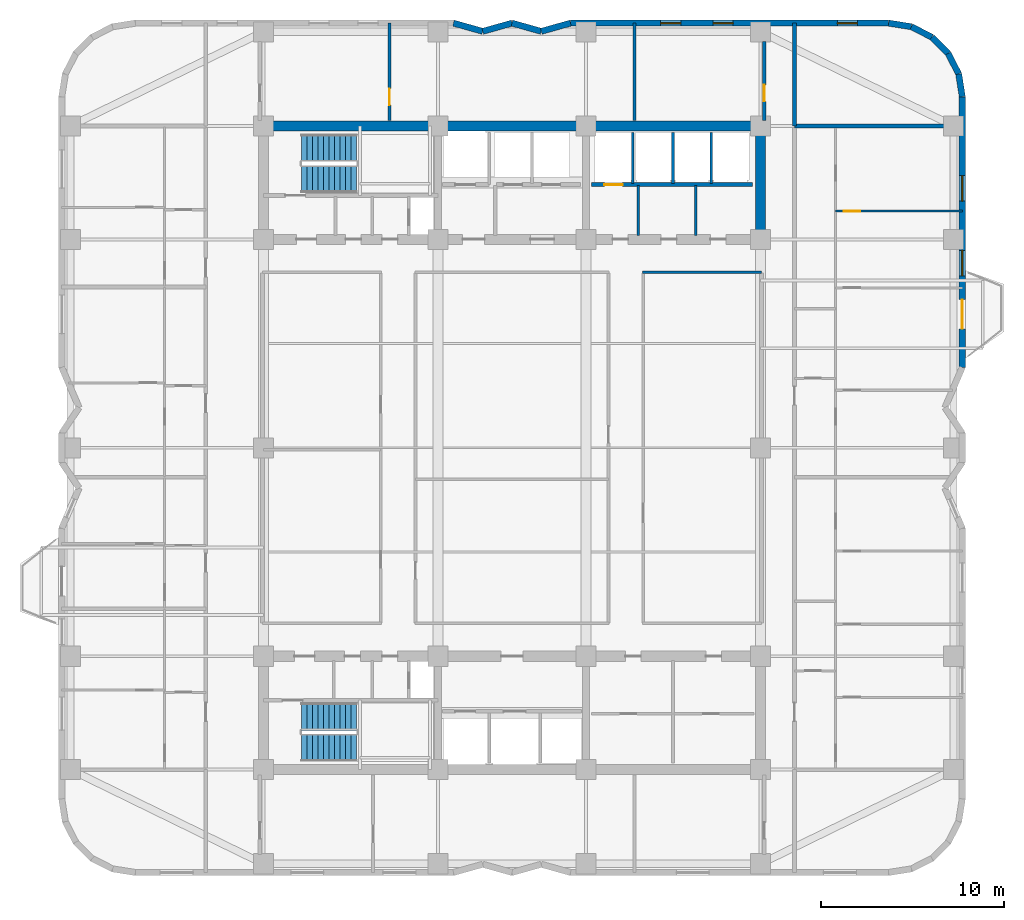
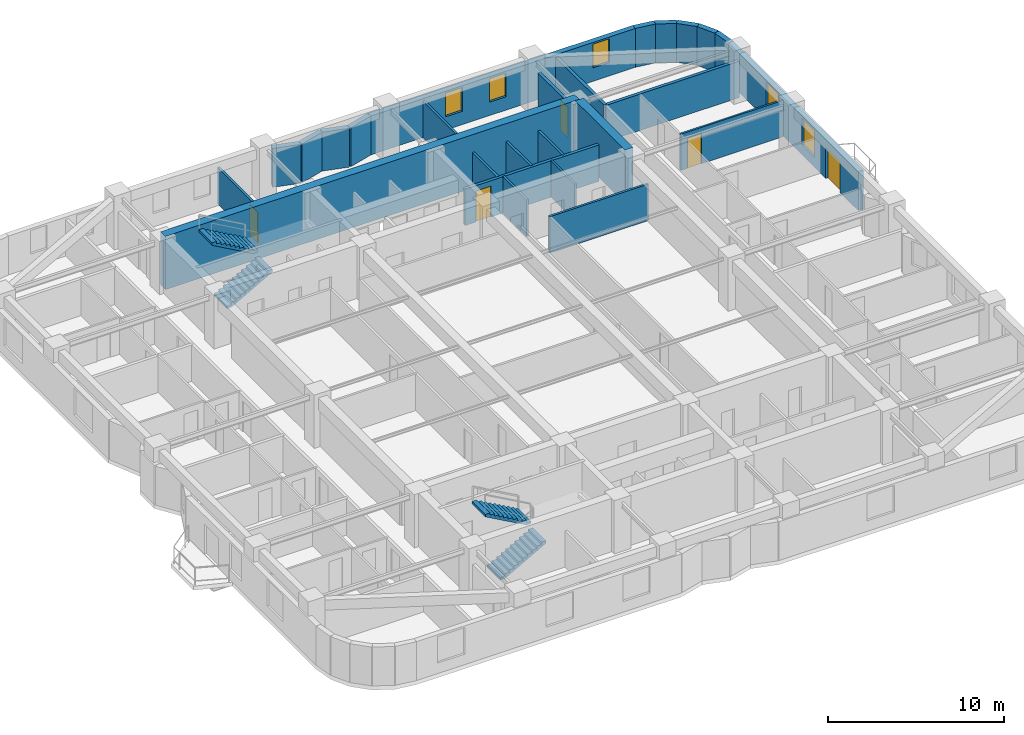
# One storey, part 7 of 9: 26 walls, 5 doors, 5 windows, 4 stair flights, 10 openings, 2 elements without a shape of their own.
"""IFC4 building model written with IfcOpenShell, lengths in metres."""

from ifc_helpers import new_model, si_unit, direction, frame, frame_2d, origin, place, context, subcontext, project, spatial, polyline, rectangle, outline, extrude, material, layer, layer_set, type_object, element, fill, aggregate, save


model = new_model("IFC4")

# Units and contexts
model_context = context("Model", 3, precision=1e-05, world=origin(), true_north=direction((0.0, 1.0)))
body_context = subcontext(model_context, "Body", "Model", "MODEL_VIEW")
ifc_project = project(units=[si_unit("LENGTHUNIT", "METRE"), si_unit("AREAUNIT", "SQUARE_METRE"), si_unit("VOLUMEUNIT", "CUBIC_METRE"), si_unit("PLANEANGLEUNIT", "RADIAN"), si_unit("MASSUNIT", "GRAM", prefix="KILO")], contexts=[model_context])

# Site, building, storey
site_placement = place(None, origin())
site = spatial("IfcSite", under=ifc_project, at=site_placement, CompositionType="ELEMENT")
building_placement = place(site_placement, origin())
building = spatial("IfcBuilding", under=site, at=building_placement, Name="Svetorya Sky Lyceum", CompositionType="ELEMENT")
storey_placement = place(building_placement, frame((0.0, 0.0, 103.10009765625)))
storey = spatial("IfcBuildingStorey", under=building, at=storey_placement, Name="L25", CompositionType="ELEMENT", Elevation=103.10009765625)

# Walls
ifc_material_1 = material(Name="Concrete C60/75", Category="concrete")
ifc_layer_1 = layer(ifc_material_1, 0.550048828125)
ifc_layer_set_1 = layer_set([ifc_layer_1], Name="Concrete C60/75")
wall_type_1 = type_object("IfcWallType", Name="WL-CORE-550", PredefinedType="SHEAR", material=ifc_layer_set_1)
wall_1_placement = place(storey_placement, frame((25.60009765625, 45.800048828125, 0.0), z_axis=(0.0, 0.0, 1.0), x_axis=(1.0, 0.0, 0.0)))
element("IfcWall", 1, at=wall_1_placement, inside=storey, type_object=wall_type_1, Name="L25 NC Outer Core Shear Wall", PredefinedType="SHEAR", context=body_context, shape_type="SweptSolid", body=[
    extrude(rectangle(XDim=27.199951171875, YDim=0.550048828125, at=frame_2d((13.60009765625, 0.0))), origin(), (0.0, 0.0, 1.0), 3.699951171875),
])
wall_2_placement = place(storey_placement, frame((52.800048828125, 39.875, 0.0), z_axis=(0.0, 0.0, 1.0), x_axis=(0.0, 1.0, 0.0)))
element("IfcWall", 2, at=wall_2_placement, inside=storey, type_object=wall_type_1, Name="L25 NC East Core Shear Wall", PredefinedType="SHEAR", context=body_context, shape_type="SweptSolid", body=[
    extrude(rectangle(XDim=5.64990234375, YDim=0.550048828125, at=frame_2d((2.824951171875, 0.0))), origin(), (0.0, 0.0, 1.0), 3.699951171875),
])

# Wall, openings, door, windows
ifc_material_2 = material(Name="Putilovo limestone rainscreen on autoclaved cellular masonry", Category="masonry")
ifc_layer_2 = layer(ifc_material_2, 0.340087890625)
ifc_layer_set_2 = layer_set([ifc_layer_2], Name="Putilovo limestone rainscreen on autoclaved cellular masonry")
wall_type_2 = type_object("IfcWallType", Name="WL-EXT-340", PredefinedType="SOLIDWALL", material=ifc_layer_set_2)
wall_3_placement = place(storey_placement, frame((63.830078125, 32.60009765625, 0.0), z_axis=(0.0, 0.0, 1.0), x_axis=(0.0, 1.0, 0.0)))
wall_3 = element("IfcWall", 3, at=wall_3_placement, inside=storey, type_object=wall_type_2, Name="L25 Limestone Exterior Wall 23M", PredefinedType="SOLIDWALL", context=body_context, shape_type="SweptSolid", body=[
    extrude(rectangle(XDim=14.7998046875, YDim=0.340087890625, at=frame_2d((7.39990234375, 0.0))), origin(), (0.0, 0.0, 1.0), 2.699951171875),
])
opening_1_placement = place(wall_3_placement, frame((2.10009765625, 0.0, 0.0)))
opening_1 = element("IfcOpeningElement", 4, at=opening_1_placement, cuts=wall_3, Name="Opening D-BL1", PredefinedType="OPENING", context=body_context, shape_type="SweptSolid", body=[
    extrude(rectangle(XDim=1.60009765625, YDim=2.10009765625, at=frame_2d((0.800048828125, 1.050048828125))), frame((0.0, 0.179931640625, 0.0), z_axis=(0.0, -1.0, 0.0), x_axis=(1.0, 0.0, 0.0)), (0.0, 0.0, 1.0), 0.360107421875),
])
opening_2_placement = place(wall_3_placement, frame((5.0, 0.0, 0.68994140625)))
opening_2 = element("IfcOpeningElement", 5, at=opening_2_placement, cuts=wall_3, Name="Opening W-R2", PredefinedType="OPENING", context=body_context, shape_type="SweptSolid", body=[
    extrude(rectangle(XDim=1.39990234375, YDim=1.85009765625, at=frame_2d((0.699951171875, 0.925048828125))), frame((0.0, 0.179931640625, 0.0), z_axis=(0.0, -1.0, 0.0), x_axis=(1.0, 0.0, 0.0)), (0.0, 0.0, 1.0), 0.360107421875),
])
opening_3_placement = place(wall_3_placement, frame((9.08740234375, 0.0, 0.72998046875)))
opening_3 = element("IfcOpeningElement", 6, at=opening_3_placement, cuts=wall_3, Name="Opening W-R2", PredefinedType="OPENING", context=body_context, shape_type="SweptSolid", body=[
    extrude(rectangle(XDim=1.39990234375, YDim=1.85009765625, at=frame_2d((0.699951171875, 0.925048828125))), frame((0.0, 0.179931640625, 0.0), z_axis=(0.0, -1.0, 0.0), x_axis=(1.0, 0.0, 0.0)), (0.0, 0.0, 1.0), 0.360107421875),
])
ifc_material_3 = material(Name="Insulated glazed aluminium balcony door", Category="aluminium")
door_type_1 = type_object("IfcDoorType", Name="DR-BAL-1600", OperationType="DOUBLE_DOOR_SINGLE_SWING", PredefinedType="DOOR", material=ifc_material_3)
door_1_placement = place(opening_1_placement, origin())
door_1 = element("IfcDoor", 7, at=door_1_placement, inside=storey, type_object=door_type_1, Name="L25 Balcony BAL-E1 Door", OperationType="DOUBLE_DOOR_SINGLE_SWING", OverallHeight=2.10009765625, OverallWidth=1.60009765625, PredefinedType="DOOR", context=body_context, shape_type="SweptSolid", body=[
    extrude(rectangle(XDim=1.60009765625, YDim=2.10009765625, at=frame_2d((0.800048828125, 1.050048828125))), frame((0.0, 0.02490234375, 0.0), z_axis=(0.0, -1.0, 0.0), x_axis=(1.0, 0.0, 0.0)), (0.0, 0.0, 1.0), 0.050048828125),
])
fill(opening_1, door_1)
ifc_material_4 = material(Name="Thermally broken aluminium frame with triple low-E glazing", Category="aluminium")
window_type_1 = type_object("IfcWindowType", Name="WN-RES-140", PartitioningType="SINGLE_PANEL", PredefinedType="WINDOW", material=ifc_material_4)
window_1_placement = place(opening_2_placement, origin())
window_1 = element("IfcWindow", 8, at=window_1_placement, inside=storey, type_object=window_type_1, Name="L25 Facade Window W-R2.23M.2", OverallHeight=1.85009765625, OverallWidth=1.39990234375, PartitioningType="SINGLE_PANEL", PredefinedType="WINDOW", context=body_context, shape_type="SweptSolid", body=[
    extrude(rectangle(XDim=1.39990234375, YDim=1.85009765625, at=frame_2d((0.699951171875, 0.925048828125))), frame((0.0, 0.030029296875, 0.0), z_axis=(0.0, -1.0, 0.0), x_axis=(1.0, 0.0, 0.0)), (0.0, 0.0, 1.0), 0.06005859375),
])
fill(opening_2, window_1)
window_2_placement = place(opening_3_placement, origin())
window_2 = element("IfcWindow", 9, at=window_2_placement, inside=storey, type_object=window_type_1, Name="L25 Facade Window W-R2.23M.1", OverallHeight=1.85009765625, OverallWidth=1.39990234375, PartitioningType="SINGLE_PANEL", PredefinedType="WINDOW", context=body_context, shape_type="SweptSolid", body=[
    extrude(rectangle(XDim=1.39990234375, YDim=1.85009765625, at=frame_2d((0.699951171875, 0.925048828125))), frame((0.0, 0.030029296875, 0.0), z_axis=(0.0, -1.0, 0.0), x_axis=(1.0, 0.0, 0.0)), (0.0, 0.0, 1.0), 0.06005859375),
])
fill(opening_3, window_2)

# Walls
for number, where, z_axis, x_axis, name in (
    (10, (63.830078125, 47.39990234375, 0.0), (0.0, 0.0, 1.0), (-0.15644975923, 0.987685918112, 0.0), "L25 Limestone Exterior Wall 24M"),
    (11, (63.6328125, 48.645263671875, 0.0), (0.0, 0.0, 1.0), (-0.454015689056, 0.890993689142, 0.0), "L25 Limestone Exterior Wall 25M"),
    (12, (63.060302734375, 49.768798828125, 0.0), (0.0, 0.0, 1.0), (-0.707106781187, 0.707106781187, 0.0), "L25 Limestone Exterior Wall 26M"),
):
    element("IfcWall", number, at=place(storey_placement, frame(where, z_axis=z_axis, x_axis=x_axis)), inside=storey, type_object=wall_type_2, Name=name, PredefinedType="SOLIDWALL", context=body_context, shape_type="SweptSolid", body=[
        extrude(rectangle(XDim=1.260986328125, YDim=0.340087890625, at=frame_2d((0.63037109375, 0.0))), origin(), (0.0, 0.0, 1.0), 2.699951171875),
    ])
for number, where, z_axis, x_axis, name in (
    (13, (62.168701171875, 50.660400390625, 0.0), (0.0, 0.0, 1.0), (-0.890953769915, 0.454094020963, 0.0), "L25 Limestone Exterior Wall 27M"),
    (14, (61.04541015625, 51.23291015625, 0.0), (0.0, 0.0, 1.0), (-0.98771582066, 0.156260864002, 0.0), "L25 Limestone Exterior Wall 28M"),
):
    element("IfcWall", number, at=place(storey_placement, frame(where, z_axis=z_axis, x_axis=x_axis)), inside=storey, type_object=wall_type_2, Name=name, PredefinedType="SOLIDWALL", context=body_context, shape_type="SweptSolid", body=[
        extrude(rectangle(XDim=1.2607421875, YDim=0.340087890625, at=frame_2d((0.63037109375, 0.0))), origin(), (0.0, 0.0, 1.0), 2.699951171875),
    ])

# Wall, openings, windows
wall_4_placement = place(storey_placement, frame((59.800048828125, 51.429931640625, 0.0), z_axis=(0.0, 0.0, 1.0), x_axis=(-1.0, 0.0, 0.0)))
wall_4 = element("IfcWall", 15, at=wall_4_placement, inside=storey, type_object=wall_type_2, Name="L25 Limestone Exterior Wall 29M", PredefinedType="SOLIDWALL", context=body_context, shape_type="SweptSolid", body=[
    extrude(rectangle(XDim=17.400146484375, YDim=0.340087890625, at=frame_2d((8.7001953125, 0.0))), origin(), (0.0, 0.0, 1.0), 2.699951171875),
])
opening_4_placement = place(wall_4_placement, frame((1.7099609375, 0.0, 0.929931640625)))
opening_4 = element("IfcOpeningElement", 16, at=opening_4_placement, cuts=wall_4, Name="Opening W-R3", PredefinedType="OPENING", context=body_context, shape_type="SweptSolid", body=[
    extrude(rectangle(XDim=1.10009765625, YDim=1.64990234375, at=frame_2d((0.550048828125, 0.824951171875))), frame((0.0, 0.179931640625, 0.0), z_axis=(0.0, -1.0, 0.0), x_axis=(1.0, 0.0, 0.0)), (0.0, 0.0, 1.0), 0.360107421875),
])
opening_5_placement = place(wall_4_placement, frame((8.5, 0.0, 0.929931640625)))
opening_5 = element("IfcOpeningElement", 17, at=opening_5_placement, cuts=wall_4, Name="Opening W-R3", PredefinedType="OPENING", context=body_context, shape_type="SweptSolid", body=[
    extrude(rectangle(XDim=1.10009765625, YDim=1.64990234375, at=frame_2d((0.550048828125, 0.824951171875))), frame((0.0, 0.179931640625, 0.0), z_axis=(0.0, -1.0, 0.0), x_axis=(1.0, 0.0, 0.0)), (0.0, 0.0, 1.0), 0.360107421875),
])
opening_6_placement = place(wall_4_placement, frame((11.3701171875, 0.0, 0.929931640625)))
opening_6 = element("IfcOpeningElement", 18, at=opening_6_placement, cuts=wall_4, Name="Opening W-R3", PredefinedType="OPENING", context=body_context, shape_type="SweptSolid", body=[
    extrude(rectangle(XDim=1.10009765625, YDim=1.64990234375, at=frame_2d((0.550048828125, 0.824951171875))), frame((0.0, 0.179931640625, 0.0), z_axis=(0.0, -1.0, 0.0), x_axis=(1.0, 0.0, 0.0)), (0.0, 0.0, 1.0), 0.360107421875),
])
window_type_2 = type_object("IfcWindowType", Name="WN-RES-110", PartitioningType="SINGLE_PANEL", PredefinedType="WINDOW", material=ifc_material_4)
window_3_placement = place(opening_4_placement, origin())
window_3 = element("IfcWindow", 19, at=window_3_placement, inside=storey, type_object=window_type_2, Name="L25 Facade Window W-R3.29M.1", OverallHeight=1.64990234375, OverallWidth=1.10009765625, PartitioningType="SINGLE_PANEL", PredefinedType="WINDOW", context=body_context, shape_type="SweptSolid", body=[
    extrude(rectangle(XDim=1.10009765625, YDim=1.64990234375, at=frame_2d((0.550048828125, 0.824951171875))), frame((0.0, 0.030029296875, 0.0), z_axis=(0.0, -1.0, 0.0), x_axis=(1.0, 0.0, 0.0)), (0.0, 0.0, 1.0), 0.06005859375),
])
fill(opening_4, window_3)
window_4_placement = place(opening_5_placement, origin())
window_4 = element("IfcWindow", 20, at=window_4_placement, inside=storey, type_object=window_type_2, Name="L25 Facade Window W-R3.29M.2", OverallHeight=1.64990234375, OverallWidth=1.10009765625, PartitioningType="SINGLE_PANEL", PredefinedType="WINDOW", context=body_context, shape_type="SweptSolid", body=[
    extrude(rectangle(XDim=1.10009765625, YDim=1.64990234375, at=frame_2d((0.550048828125, 0.824951171875))), frame((0.0, 0.030029296875, 0.0), z_axis=(0.0, -1.0, 0.0), x_axis=(1.0, 0.0, 0.0)), (0.0, 0.0, 1.0), 0.06005859375),
])
fill(opening_5, window_4)
window_5_placement = place(opening_6_placement, origin())
window_5 = element("IfcWindow", 21, at=window_5_placement, inside=storey, type_object=window_type_2, Name="L25 Facade Window W-R3.29M.3", OverallHeight=1.64990234375, OverallWidth=1.10009765625, PartitioningType="SINGLE_PANEL", PredefinedType="WINDOW", context=body_context, shape_type="SweptSolid", body=[
    extrude(rectangle(XDim=1.10009765625, YDim=1.64990234375, at=frame_2d((0.550048828125, 0.824951171875))), frame((0.0, 0.030029296875, 0.0), z_axis=(0.0, -1.0, 0.0), x_axis=(1.0, 0.0, 0.0)), (0.0, 0.0, 1.0), 0.06005859375),
])
fill(opening_6, window_5)

# Walls
wall_5_placement = place(storey_placement, frame((42.39990234375, 51.429931640625, 0.0), z_axis=(0.0, 0.0, 1.0), x_axis=(-0.962652136636, -0.270741322725, 0.0)))
element("IfcWall", 22, at=wall_5_placement, inside=storey, type_object=wall_type_2, Name="L25 Limestone Exterior Wall 30M", PredefinedType="SOLIDWALL", context=body_context, shape_type="SweptSolid", body=[
    extrude(rectangle(XDim=1.661865234375, YDim=0.340087890625, at=frame_2d((0.8310546875, 0.0))), origin(), (0.0, 0.0, 1.0), 2.699951171875),
])
wall_6_placement = place(storey_placement, frame((40.800048828125, 50.97998046875, 0.0), z_axis=(0.0, 0.0, 1.0), x_axis=(-0.962662902433, 0.270703040766, 0.0)))
element("IfcWall", 23, at=wall_6_placement, inside=storey, type_object=wall_type_2, Name="L25 Limestone Exterior Wall 31M", PredefinedType="SOLIDWALL", context=body_context, shape_type="SweptSolid", body=[
    extrude(rectangle(XDim=1.662109375, YDim=0.340087890625, at=frame_2d((0.8310546875, 0.0))), origin(), (0.0, 0.0, 1.0), 2.699951171875),
])
wall_7_placement = place(storey_placement, frame((39.199951171875, 51.429931640625, 0.0), z_axis=(0.0, 0.0, 1.0), x_axis=(-0.962652136636, -0.270741322725, 0.0)))
element("IfcWall", 24, at=wall_7_placement, inside=storey, type_object=wall_type_2, Name="L25 Limestone Exterior Wall 32M", PredefinedType="SOLIDWALL", context=body_context, shape_type="SweptSolid", body=[
    extrude(rectangle(XDim=1.661865234375, YDim=0.340087890625, at=frame_2d((0.8310546875, 0.0))), origin(), (0.0, 0.0, 1.0), 2.699951171875),
])
wall_8_placement = place(storey_placement, frame((37.60009765625, 50.97998046875, 0.0), z_axis=(0.0, 0.0, 1.0), x_axis=(-0.962662902433, 0.270703040766, 0.0)))
element("IfcWall", 25, at=wall_8_placement, inside=storey, type_object=wall_type_2, Name="L25 Limestone Exterior Wall 33M", PredefinedType="SOLIDWALL", context=body_context, shape_type="SweptSolid", body=[
    extrude(rectangle(XDim=1.662109375, YDim=0.340087890625, at=frame_2d((0.8310546875, 0.0))), origin(), (0.0, 0.0, 1.0), 2.699951171875),
])

# Wall, opening, door
ifc_material_5 = material(Name="Twin-stud galvanized framing with double fireboard", Category="gypsum")
ifc_layer_3 = layer(ifc_material_5, 0.1201171875)
ifc_layer_set_3 = layer_set([ifc_layer_3], Name="Twin-stud galvanized framing with double fireboard")
wall_type_3 = type_object("IfcWallType", Name="WL-PART-120", PredefinedType="PARTITIONING", material=ifc_layer_set_3)
wall_9_placement = place(storey_placement, frame((56.89990234375, 41.14990234375, 0.0), z_axis=(0.0, 0.0, 1.0), x_axis=(1.0, 0.0, 0.0)))
wall_9 = element("IfcWall", 26, at=wall_9_placement, inside=storey, type_object=wall_type_3, Name="L25 Interior Partition E2-WL3", PredefinedType="PARTITIONING", context=body_context, shape_type="SweptSolid", body=[
    extrude(rectangle(XDim=6.93017578125, YDim=0.1201171875, at=frame_2d((3.465087890625, 0.0))), origin(), (0.0, 0.0, 1.0), 2.52978515625),
])
opening_7_placement = place(wall_9_placement, frame((0.449951171875, 0.0, 0.0)))
opening_7 = element("IfcOpeningElement", 27, at=opening_7_placement, cuts=wall_9, Name="Opening D-RM1", PredefinedType="OPENING", context=body_context, shape_type="SweptSolid", body=[
    extrude(rectangle(XDim=0.89990234375, YDim=2.10009765625, at=frame_2d((0.449951171875, 1.050048828125))), frame((0.0, 0.070068359375, 0.0), z_axis=(0.0, -1.0, 0.0), x_axis=(1.0, 0.0, 0.0)), (0.0, 0.0, 1.0), 0.14013671875),
])
ifc_material_6 = material(Name="Lacquered birch veneer internal door")
door_type_2 = type_object("IfcDoorType", Name="DR-INT-900", OperationType="SINGLE_SWING_LEFT", PredefinedType="DOOR", material=ifc_material_6)
door_2_placement = place(opening_7_placement, origin())
door_2 = element("IfcDoor", 28, at=door_2_placement, inside=storey, type_object=door_type_2, Name="Apartment E2 Bedroom 3 Door", OperationType="SINGLE_SWING_LEFT", OverallHeight=2.10009765625, OverallWidth=0.89990234375, PredefinedType="DOOR", context=body_context, shape_type="SweptSolid", body=[
    extrude(rectangle(XDim=0.89990234375, YDim=2.10009765625, at=frame_2d((0.449951171875, 1.050048828125))), frame((0.0, 0.02490234375, 0.0), z_axis=(0.0, -1.0, 0.0), x_axis=(1.0, 0.0, 0.0)), (0.0, 0.0, 1.0), 0.050048828125),
])
fill(opening_7, door_2)

# Walls
ifc_material_7 = material(Name="Twin-stud galvanized framing with acoustic board", Category="gypsum")
ifc_layer_4 = layer(ifc_material_7, 0.135009765625)
ifc_layer_set_4 = layer_set([ifc_layer_4], Name="Twin-stud galvanized framing with acoustic board")
wall_type_4 = type_object("IfcWallType", Name="WL-PART-135", PredefinedType="PARTITIONING", material=ifc_layer_set_4)
wall_10_placement = place(storey_placement, frame((49.25, 39.820068359375, 0.0), z_axis=(0.0, 0.0, 1.0), x_axis=(0.0, 1.0, 0.0)))
element("IfcWall", 29, at=wall_10_placement, inside=storey, type_object=wall_type_4, Name="L25 Interior Partition NC-Z2ED", PredefinedType="PARTITIONING", context=body_context, shape_type="SweptSolid", body=[
    extrude(rectangle(XDim=2.72998046875, YDim=0.135009765625, at=frame_2d((1.364990234375, 0.0))), origin(), (0.0, 0.0, 1.0), 2.52978515625),
])
ifc_material_8 = material(Name="Autoclaved cellular masonry blockwork with acoustic render", Category="masonry")
ifc_layer_5 = layer(ifc_material_8, 0.14990234375)
ifc_layer_set_5 = layer_set([ifc_layer_5], Name="Autoclaved cellular masonry blockwork with acoustic render")
wall_type_5 = type_object("IfcWallType", Name="WL-PART-150", PredefinedType="PARTITIONING", material=ifc_layer_set_5)
for number, where, z_axis, x_axis, name in (
    (30, (45.800048828125, 42.64990234375, 0.0), (0.0, 0.0, 1.0), (0.0, 1.0, 0.0), "L25 Interior Partition NC-PM3-D"),
    (31, (48.0, 42.64990234375, 0.0), (0.0, 0.0, 1.0), (0.0, 1.0, 0.0), "L25 Interior Partition NC-PH-D1"),
    (32, (50.10009765625, 42.64990234375, 0.0), (0.0, 0.0, 1.0), (0.0, 1.0, 0.0), "L25 Interior Partition NC-PH-D2"),
):
    element("IfcWall", number, at=place(storey_placement, frame(where, z_axis=z_axis, x_axis=x_axis)), inside=storey, type_object=wall_type_5, Name=name, PredefinedType="PARTITIONING", context=body_context, shape_type="SweptSolid", body=[
        extrude(rectangle(XDim=2.800048828125, YDim=0.14990234375, at=frame_2d((1.39990234375, 0.0))), origin(), (0.0, 0.0, 1.0), 2.52978515625),
    ])
wall_11_placement = place(storey_placement, frame((46.10009765625, 39.820068359375, 0.0), z_axis=(0.0, 0.0, 1.0), x_axis=(0.0, 1.0, 0.0)))
element("IfcWall", 33, at=wall_11_placement, inside=storey, type_object=wall_type_5, Name="L25 Interior Partition NC-PM3SEP", PredefinedType="PARTITIONING", context=body_context, shape_type="SweptSolid", body=[
    extrude(rectangle(XDim=2.72998046875, YDim=0.14990234375, at=frame_2d((1.364990234375, 0.0))), origin(), (0.0, 0.0, 1.0), 2.52978515625),
])
wall_12_placement = place(storey_placement, frame((46.35009765625, 37.800048828125, 0.0), z_axis=(0.0, 0.0, 1.0), x_axis=(1.0, 0.0, 0.0)))
element("IfcWall", 34, at=wall_12_placement, inside=storey, type_object=wall_type_5, Name="L25 Interior Partition RL-CN-E", PredefinedType="PARTITIONING", context=body_context, shape_type="SweptSolid", body=[
    extrude(rectangle(XDim=6.5, YDim=0.14990234375, at=frame_2d((3.25, 0.0))), origin(), (0.0, 0.0, 1.0), 2.52978515625),
])

# Wall, opening, door
wall_13_placement = place(storey_placement, frame((32.5, 46.10009765625, 0.0), z_axis=(0.0, 0.0, 1.0), x_axis=(0.0, 1.0, 0.0)))
wall_13 = element("IfcWall", 35, at=wall_13_placement, inside=storey, type_object=wall_type_5, Name="L25 Interior Partition N-D1", PredefinedType="PARTITIONING", context=body_context, shape_type="SweptSolid", body=[
    extrude(rectangle(XDim=5.329833984375, YDim=0.14990234375, at=frame_2d((2.6650390625, 0.0))), origin(), (0.0, 0.0, 1.0), 2.52978515625),
])
opening_8_placement = place(wall_13_placement, frame((0.85009765625, 0.0, 0.0)))
opening_8 = element("IfcOpeningElement", 36, at=opening_8_placement, cuts=wall_13, Name="Opening D-RM1", PredefinedType="OPENING", context=body_context, shape_type="SweptSolid", body=[
    extrude(rectangle(XDim=0.89990234375, YDim=2.10009765625, at=frame_2d((0.449951171875, 1.050048828125))), frame((0.0, 0.0849609375, 0.0), z_axis=(0.0, -1.0, 0.0), x_axis=(1.0, 0.0, 0.0)), (0.0, 0.0, 1.0), 0.169921875),
])
door_3_placement = place(opening_8_placement, origin())
door_3 = element("IfcDoor", 37, at=door_3_placement, inside=storey, type_object=door_type_2, Name="L25 North Store Door", OperationType="SINGLE_SWING_RIGHT", OverallHeight=2.10009765625, OverallWidth=0.89990234375, PredefinedType="DOOR", context=body_context, shape_type="SweptSolid", body=[
    extrude(rectangle(XDim=0.89990234375, YDim=2.10009765625, at=frame_2d((0.449951171875, 1.050048828125))), frame((0.0, 0.02490234375, 0.0), z_axis=(0.0, -1.0, 0.0), x_axis=(1.0, 0.0, 0.0)), (0.0, 0.0, 1.0), 0.050048828125),
])
fill(opening_8, door_3)

# Wall
wall_14_placement = place(storey_placement, frame((45.89990234375, 46.10009765625, 0.0), z_axis=(0.0, 0.0, 1.0), x_axis=(0.0, 1.0, 0.0)))
element("IfcWall", 38, at=wall_14_placement, inside=storey, type_object=wall_type_5, Name="L25 Interior Partition N-D2", PredefinedType="PARTITIONING", context=body_context, shape_type="SweptSolid", body=[
    extrude(rectangle(XDim=5.329833984375, YDim=0.14990234375, at=frame_2d((2.6650390625, 0.0))), origin(), (0.0, 0.0, 1.0), 2.52978515625),
])

# Wall, opening, door
ifc_material_9 = material(Name="Autoclaved cellular masonry blockwork with gypsum plaster", Category="masonry")
ifc_layer_6 = layer(ifc_material_9, 0.199951171875)
ifc_layer_set_6 = layer_set([ifc_layer_6], Name="Autoclaved cellular masonry blockwork with gypsum plaster")
wall_type_6 = type_object("IfcWallType", Name="WL-PART-200", PredefinedType="PARTITIONING", material=ifc_layer_set_6)
wall_15_placement = place(storey_placement, frame((52.35009765625, 42.60009765625, 0.0), z_axis=(0.0, 0.0, 1.0), x_axis=(-1.0, 0.0, 0.0)))
wall_15 = element("IfcWall", 39, at=wall_15_placement, inside=storey, type_object=wall_type_6, Name="L25 Interior Partition NC-PHEW", PredefinedType="PARTITIONING", context=body_context, shape_type="SweptSolid", body=[
    extrude(rectangle(XDim=8.800048828125, YDim=0.199951171875, at=frame_2d((4.39990234375, 0.0))), origin(), (0.0, 0.0, 1.0), 2.52978515625),
])
opening_9_placement = place(wall_15_placement, frame((7.10009765625, 0.0, 0.0)))
opening_9 = element("IfcOpeningElement", 40, at=opening_9_placement, cuts=wall_15, Name="Opening LD-P1", PredefinedType="OPENING", context=body_context, shape_type="SweptSolid", body=[
    extrude(rectangle(XDim=1.0, YDim=2.14990234375, at=frame_2d((0.5, 1.074951171875))), frame((0.0, 0.10986328125, 0.0), z_axis=(0.0, -1.0, 0.0), x_axis=(1.0, 0.0, 0.0)), (0.0, 0.0, 1.0), 0.219970703125),
])
ifc_material_10 = material(Name="Champagne-anodized stainless passenger lift landing door")
door_type_3 = type_object("IfcDoorType", Name="DR-LIFT-1000", OperationType="SLIDING_TO_LEFT", PredefinedType="DOOR", material=ifc_material_10)
door_4_placement = place(opening_9_placement, origin())
door_4 = element("IfcDoor", 41, at=door_4_placement, inside=storey, type_object=door_type_3, Name="L25 Passenger Lift PM3 Landing Door", OperationType="SLIDING_TO_LEFT", OverallHeight=2.14990234375, OverallWidth=1.0, PredefinedType="DOOR", context=body_context, shape_type="SweptSolid", body=[
    extrude(rectangle(XDim=1.0, YDim=2.14990234375, at=frame_2d((0.5, 1.074951171875))), frame((0.0, 0.02490234375, 0.0), z_axis=(0.0, -1.0, 0.0), x_axis=(1.0, 0.0, 0.0)), (0.0, 0.0, 1.0), 0.050048828125),
])
fill(opening_9, door_4)

# Walls
wall_16_placement = place(storey_placement, frame((54.64990234375, 45.800048828125, 0.0), z_axis=(0.0, 0.0, 1.0), x_axis=(1.0, 0.0, 0.0)))
element("IfcWall", 42, at=wall_16_placement, inside=storey, type_object=wall_type_6, Name="L25 Interior Partition E-CAP-N", PredefinedType="PARTITIONING", context=body_context, shape_type="SweptSolid", body=[
    extrude(rectangle(XDim=8.760009765625, YDim=0.199951171875, at=frame_2d((4.3798828125, 0.0))), origin(), (0.0, 0.0, 1.0), 2.52978515625),
])
wall_17_placement = place(storey_placement, frame((54.64990234375, 45.800048828125, 0.0), z_axis=(0.0, 0.0, 1.0), x_axis=(0.0, 1.0, 0.0)))
element("IfcWall", 43, at=wall_17_placement, inside=storey, type_object=wall_type_6, Name="L25 Interior Partition EC-NE-END", PredefinedType="PARTITIONING", context=body_context, shape_type="SweptSolid", body=[
    extrude(rectangle(XDim=5.6298828125, YDim=0.199951171875, at=frame_2d((2.81494140625, 0.0))), origin(), (0.0, 0.0, 1.0), 2.52978515625),
])

# Wall, opening, door
wall_18_placement = place(storey_placement, frame((53.0, 46.10009765625, 0.0), z_axis=(0.0, 0.0, 1.0), x_axis=(0.0, 1.0, 0.0)))
wall_18 = element("IfcWall", 44, at=wall_18_placement, inside=storey, type_object=wall_type_6, Name="L25 Interior Partition N-EE", PredefinedType="PARTITIONING", context=body_context, shape_type="SweptSolid", body=[
    extrude(rectangle(XDim=4.329833984375, YDim=0.199951171875, at=frame_2d((2.1650390625, 0.0))), origin(), (0.0, 0.0, 1.0), 2.52978515625),
])
opening_10_placement = place(wall_18_placement, frame((1.050048828125, 0.0, 0.0)))
opening_10 = element("IfcOpeningElement", 45, at=opening_10_placement, cuts=wall_18, Name="Opening D-RM1", PredefinedType="OPENING", context=body_context, shape_type="SweptSolid", body=[
    extrude(rectangle(XDim=0.89990234375, YDim=2.10009765625, at=frame_2d((0.449951171875, 1.050048828125))), frame((0.0, 0.10986328125, 0.0), z_axis=(0.0, -1.0, 0.0), x_axis=(1.0, 0.0, 0.0)), (0.0, 0.0, 1.0), 0.219970703125),
])
door_5_placement = place(opening_10_placement, origin())
door_5 = element("IfcDoor", 46, at=door_5_placement, inside=storey, type_object=door_type_2, Name="L25 North Meeting Door", OperationType="SINGLE_SWING_LEFT", OverallHeight=2.10009765625, OverallWidth=0.89990234375, PredefinedType="DOOR", context=body_context, shape_type="SweptSolid", body=[
    extrude(rectangle(XDim=0.89990234375, YDim=2.10009765625, at=frame_2d((0.449951171875, 1.050048828125))), frame((0.0, 0.02490234375, 0.0), z_axis=(0.0, -1.0, 0.0), x_axis=(1.0, 0.0, 0.0)), (0.0, 0.0, 1.0), 0.050048828125),
])
fill(opening_10, door_5)

# Stair, stair flights
ifc_material_11 = material(Name="Concrete C40/50", Category="concrete")
stair_type_1 = type_object("IfcStairType", Name="STR-ST-N", PredefinedType="HALF_TURN_STAIR", material=ifc_material_11)
stair_1_placement = place(storey_placement, origin())
stair_1 = element("IfcStair", 47, at=stair_1_placement, inside=storey, type_object=stair_type_1, Name="L25 North Core Smoke-Free Exit Stair N3", PredefinedType="HALF_TURN_STAIR")
stair_flight_type_1 = type_object("IfcStairFlightType", Name="SFL-ST-N", PredefinedType="STRAIGHT", material=ifc_material_11)
stair_flight_1_placement = place(storey_placement, frame((27.699951171875, 42.89990234375, 0.0), z_axis=(0.0, 0.0, 1.0), x_axis=(1.0, 0.0, 0.0)))
stair_flight_1 = element("IfcStairFlight", 48, at=stair_flight_1_placement, type_object=stair_flight_type_1, Name="ST-N flight 1", NumberOfRisers=11, NumberOfTreads=10, PredefinedType="STRAIGHT", RiserHeight=0.168181818, TreadLength=0.3, context=body_context, shape_type="SweptSolid", body=[
    extrude(outline(polyline([(0.0, 0.0), (0.0, 0.168212890625), (0.300048828125, 0.168212890625), (0.300048828125, 0.33642578125), (0.60009765625, 0.33642578125), (0.60009765625, 0.504638671875), (0.89990234375, 0.504638671875), (0.89990234375, 0.672607421875), (1.199951171875, 0.672607421875), (1.199951171875, 0.8408203125), (1.5, 0.8408203125), (1.5, 1.009033203125), (1.800048828125, 1.009033203125), (1.800048828125, 1.17724609375), (2.10009765625, 1.17724609375), (2.10009765625, 1.345458984375), (2.39990234375, 1.345458984375), (2.39990234375, 1.513671875), (2.699951171875, 1.513671875), (2.699951171875, 1.681884765625), (3.0, 1.681884765625), (3.0, 1.85009765625), (3.0, 1.510009765625), (0.306640625, 0.0), (0.0, 0.0)])), frame((0.0, 0.75, 0.0), z_axis=(0.0, -1.0, 0.0), x_axis=(1.0, 0.0, 0.0)), (0.0, 0.0, 1.0), 1.5),
])
stair_flight_2_placement = place(storey_placement, frame((30.699951171875, 44.60009765625, 1.849853515625), z_axis=(0.0, 0.0, 1.0), x_axis=(-1.0, 0.0, 0.0)))
stair_flight_2 = element("IfcStairFlight", 49, at=stair_flight_2_placement, type_object=stair_flight_type_1, Name="ST-N flight 2", NumberOfRisers=11, NumberOfTreads=10, PredefinedType="STRAIGHT", RiserHeight=0.168181818, TreadLength=0.3, context=body_context, shape_type="SweptSolid", body=[
    extrude(outline(polyline([(0.0, 0.0), (0.0, 0.168212890625), (0.300048828125, 0.168212890625), (0.300048828125, 0.33642578125), (0.60009765625, 0.33642578125), (0.60009765625, 0.504638671875), (0.89990234375, 0.504638671875), (0.89990234375, 0.672607421875), (1.199951171875, 0.672607421875), (1.199951171875, 0.8408203125), (1.5, 0.8408203125), (1.5, 1.009033203125), (1.800048828125, 1.009033203125), (1.800048828125, 1.17724609375), (2.10009765625, 1.17724609375), (2.10009765625, 1.345458984375), (2.39990234375, 1.345458984375), (2.39990234375, 1.513671875), (2.699951171875, 1.513671875), (2.699951171875, 1.681884765625), (3.0, 1.681884765625), (3.0, 1.85009765625), (3.0, 1.510009765625), (0.306640625, 0.0), (0.0, 0.0)])), frame((0.0, 0.75, 0.0), z_axis=(0.0, -1.0, 0.0), x_axis=(1.0, 0.0, 0.0)), (0.0, 0.0, 1.0), 1.5),
])
aggregate(stair_1, [stair_flight_1, stair_flight_2])

stair_type_2 = type_object("IfcStairType", Name="STR-ST-S", PredefinedType="HALF_TURN_STAIR", material=ifc_material_11)
stair_2_placement = place(storey_placement, origin())
stair_2 = element("IfcStair", 50, at=stair_2_placement, inside=storey, type_object=stair_type_2, Name="L25 South Core Smoke-Free Exit Stair N2", PredefinedType="HALF_TURN_STAIR")
stair_flight_type_2 = type_object("IfcStairFlightType", Name="SFL-ST-S", PredefinedType="STRAIGHT", material=ifc_material_11)
stair_flight_3_placement = place(storey_placement, frame((27.699951171875, 11.800048828125, 0.0), z_axis=(0.0, 0.0, 1.0), x_axis=(1.0, 0.0, 0.0)))
stair_flight_3 = element("IfcStairFlight", 51, at=stair_flight_3_placement, type_object=stair_flight_type_2, Name="ST-S flight 1", NumberOfRisers=11, NumberOfTreads=10, PredefinedType="STRAIGHT", RiserHeight=0.168181818, TreadLength=0.3, context=body_context, shape_type="SweptSolid", body=[
    extrude(outline(polyline([(0.0, 0.0), (0.0, 0.168212890625), (0.300048828125, 0.168212890625), (0.300048828125, 0.33642578125), (0.60009765625, 0.33642578125), (0.60009765625, 0.504638671875), (0.89990234375, 0.504638671875), (0.89990234375, 0.672607421875), (1.199951171875, 0.672607421875), (1.199951171875, 0.8408203125), (1.5, 0.8408203125), (1.5, 1.009033203125), (1.800048828125, 1.009033203125), (1.800048828125, 1.17724609375), (2.10009765625, 1.17724609375), (2.10009765625, 1.345458984375), (2.39990234375, 1.345458984375), (2.39990234375, 1.513671875), (2.699951171875, 1.513671875), (2.699951171875, 1.681884765625), (3.0, 1.681884765625), (3.0, 1.85009765625), (3.0, 1.510009765625), (0.306640625, 0.0), (0.0, 0.0)])), frame((0.0, 0.75, 0.0), z_axis=(0.0, -1.0, 0.0), x_axis=(1.0, 0.0, 0.0)), (0.0, 0.0, 1.0), 1.5),
])
stair_flight_4_placement = place(storey_placement, frame((30.699951171875, 13.5, 1.849853515625), z_axis=(0.0, 0.0, 1.0), x_axis=(-1.0, 0.0, 0.0)))
stair_flight_4 = element("IfcStairFlight", 52, at=stair_flight_4_placement, type_object=stair_flight_type_2, Name="ST-S flight 2", NumberOfRisers=11, NumberOfTreads=10, PredefinedType="STRAIGHT", RiserHeight=0.168181818, TreadLength=0.3, context=body_context, shape_type="SweptSolid", body=[
    extrude(outline(polyline([(0.0, 0.0), (0.0, 0.168212890625), (0.300048828125, 0.168212890625), (0.300048828125, 0.33642578125), (0.60009765625, 0.33642578125), (0.60009765625, 0.504638671875), (0.89990234375, 0.504638671875), (0.89990234375, 0.672607421875), (1.199951171875, 0.672607421875), (1.199951171875, 0.8408203125), (1.5, 0.8408203125), (1.5, 1.009033203125), (1.800048828125, 1.009033203125), (1.800048828125, 1.17724609375), (2.10009765625, 1.17724609375), (2.10009765625, 1.345458984375), (2.39990234375, 1.345458984375), (2.39990234375, 1.513671875), (2.699951171875, 1.513671875), (2.699951171875, 1.681884765625), (3.0, 1.681884765625), (3.0, 1.85009765625), (3.0, 1.510009765625), (0.306640625, 0.0), (0.0, 0.0)])), frame((0.0, 0.75, 0.0), z_axis=(0.0, -1.0, 0.0), x_axis=(1.0, 0.0, 0.0)), (0.0, 0.0, 1.0), 1.5),
])
aggregate(stair_2, [stair_flight_3, stair_flight_4])

save(model, "model.ifc")
